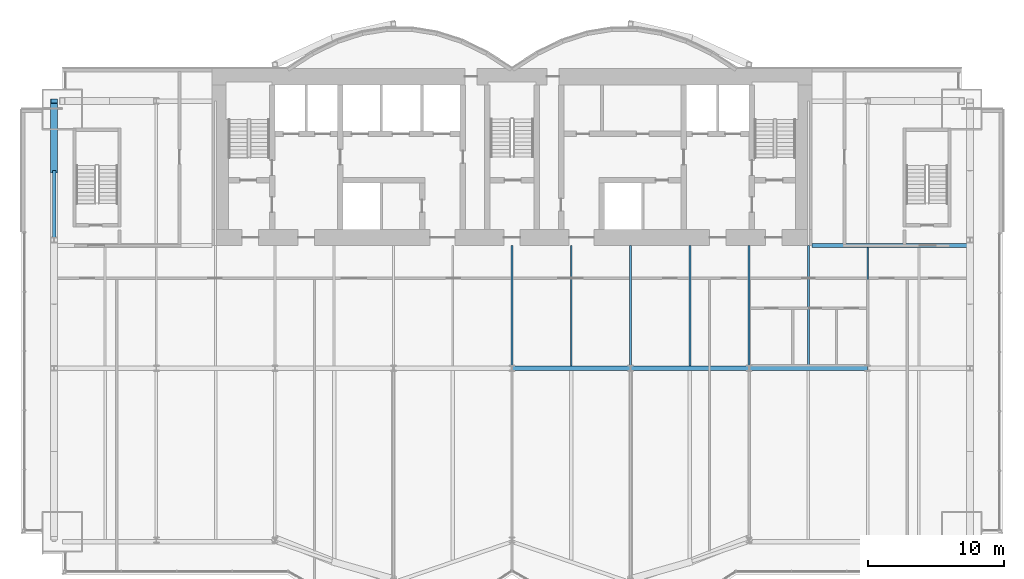
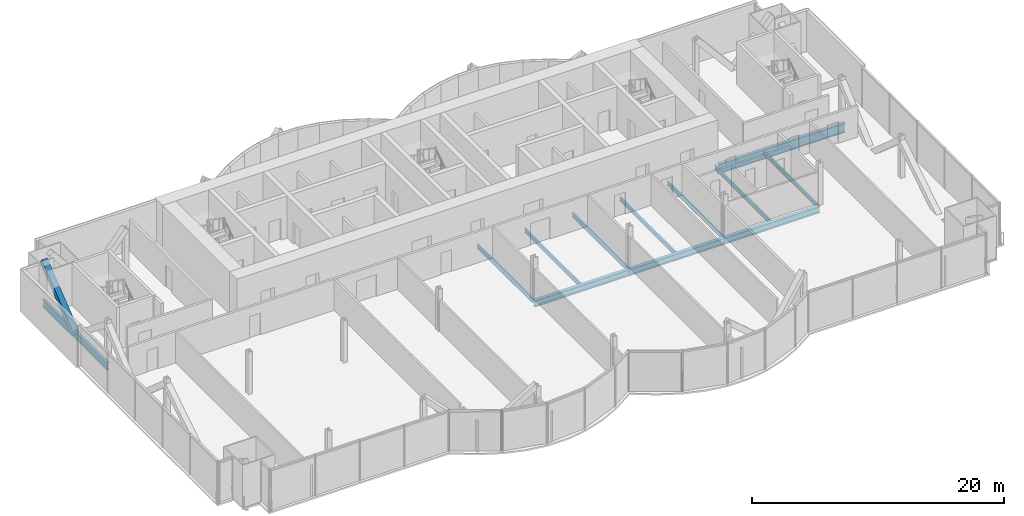
# One storey, part 9 of 21: 12 beams, 1 member.
"""IFC4 building model written with IfcOpenShell, lengths in metres."""

from ifc_helpers import new_model, si_unit, direction, frame, origin, origin_2d, place, context, subcontext, project, spatial, hollow_rectangle, i_section, extrude, material, material_profile, profile_set, type_object, element, save


model = new_model("IFC4")

# Units and contexts
model_context = context("Model", 3, precision=1e-05, world=origin(), true_north=direction((0.0, 1.0)))
body_context = subcontext(model_context, "Body", "Model", "MODEL_VIEW")
ifc_project = project(units=[si_unit("LENGTHUNIT", "METRE"), si_unit("AREAUNIT", "SQUARE_METRE"), si_unit("VOLUMEUNIT", "CUBIC_METRE"), si_unit("PLANEANGLEUNIT", "RADIAN"), si_unit("MASSUNIT", "GRAM", prefix="KILO")], contexts=[model_context])

# Site, building, storey
site_placement = place(None, origin())
site = spatial("IfcSite", under=ifc_project, at=site_placement, CompositionType="ELEMENT")
building_placement = place(site_placement, origin())
building = spatial("IfcBuilding", under=site, at=building_placement, Name="Bicima Exchange Tower", CompositionType="ELEMENT")
storey_placement = place(building_placement, frame((0.0, 0.0, 122.699951171875)))
storey = spatial("IfcBuildingStorey", under=building, at=storey_placement, Name="L26", CompositionType="ELEMENT", Elevation=122.699951171875)

# Beams
ifc_material_1 = material(Name="Steel ASTM A992 Gr 50", Category="steel")
ifc_material_profile_1 = material_profile(ifc_material_1, i_section(OverallWidth=0.3046875, OverallDepth=0.911865234375, WebThickness=0.015869140625, FlangeThickness=0.02392578125, at=origin_2d()))
ifc_profile_set_1 = profile_set([ifc_material_profile_1], Name="Steel ASTM A992 Gr 50")
beam_type_1 = type_object("IfcBeamType", Name="Core-line girder W36x150", PredefinedType="BEAM", material=ifc_profile_set_1)
beam_1_placement = place(storey_placement, frame((22.0, -13.0, -0.60595703125), z_axis=(1.0, 0.0, 0.0), x_axis=(0.0, 1.0, 0.0)))
element("IfcBeam", 1, at=beam_1_placement, inside=storey, type_object=beam_type_1, Name="Core-line girder", PredefinedType="BEAM", context=body_context, shape_type="SweptSolid", body=[
    extrude(i_section(OverallWidth=0.3046875, OverallDepth=0.911865234375, WebThickness=0.015869140625, FlangeThickness=0.02392578125, at=origin_2d()), origin(), (0.0, 0.0, 1.0), 11.60009765625),
])
ifc_material_profile_2 = material_profile(ifc_material_1, i_section(OverallWidth=0.256591796875, OverallDepth=0.693359375, WebThickness=0.014404296875, FlangeThickness=0.023681640625, at=origin_2d()))
ifc_profile_set_2 = profile_set([ifc_material_profile_2], Name="Steel ASTM A992 Gr 50")
beam_type_2 = type_object("IfcBeamType", Name="End girder W27x114", PredefinedType="BEAM", material=ifc_profile_set_2)
beam_2_placement = place(storey_placement, frame((-33.60009765625, -2.39990234375, -0.49658203125), z_axis=(0.0, -1.0, 0.0), x_axis=(1.0, 0.0, 0.0)))
element("IfcBeam", 2, at=beam_2_placement, inside=storey, type_object=beam_type_2, Name="End girder", PredefinedType="BEAM", context=body_context, shape_type="SweptSolid", body=[
    extrude(i_section(OverallWidth=0.256591796875, OverallDepth=0.693359375, WebThickness=0.014404296875, FlangeThickness=0.023681640625, at=origin_2d()), origin(), (0.0, 0.0, 1.0), 10.2001953125),
])
ifc_material_profile_3 = material_profile(ifc_material_1, i_section(OverallWidth=0.140380859375, OverallDepth=0.40380859375, WebThickness=0.007080078125, FlangeThickness=0.01123046875, at=origin_2d()))
ifc_profile_set_3 = profile_set([ifc_material_profile_3], Name="Steel ASTM A992 Gr 50")
beam_type_3 = type_object("IfcBeamType", Name="Floor beam W16x31", PredefinedType="JOIST", material=ifc_profile_set_3)
for number, where, z_axis, x_axis, name in (
    (3, (0.0, -13.0, -0.351806640625), (0.0, -1.0, 0.0), (1.0, 0.0, 0.0), "Floor beam"),
    (4, (4.35009765625, -13.0, -0.351806640625), (0.0, -1.0, 0.0), (1.0, 0.0, 0.0), "Floor beam"),
    (5, (8.699951171875, -13.0, -0.351806640625), (0.0, -1.0, 0.0), (1.0, 0.0, 0.0), "Floor beam"),
    (6, (13.050048828125, -13.0, -0.351806640625), (0.0, -1.0, 0.0), (1.0, 0.0, 0.0), "Floor beam"),
    (7, (17.39990234375, -13.0, -0.351806640625), (0.0, -1.0, 0.0), (1.0, 0.0, 0.0), "Floor beam"),
    (8, (21.75, -13.0, -0.351806640625), (0.0, -1.0, 0.0), (1.0, 0.0, 0.0), "Floor beam"),
):
    element("IfcBeam", number, at=place(storey_placement, frame(where, z_axis=z_axis, x_axis=x_axis)), inside=storey, type_object=beam_type_3, Name=name, PredefinedType="JOIST", context=body_context, shape_type="SweptSolid", body=[
        extrude(i_section(OverallWidth=0.140380859375, OverallDepth=0.40380859375, WebThickness=0.007080078125, FlangeThickness=0.01123046875, at=origin_2d()), origin(), (0.0, 0.0, 1.0), 8.83740234375),
    ])
beam_3_placement = place(storey_placement, frame((26.10009765625, -13.15234375, -0.351806640625), z_axis=(0.0, -1.0, 0.0), x_axis=(1.0, 0.0, 0.0)))
element("IfcBeam", 9, at=beam_3_placement, inside=storey, type_object=beam_type_3, Name="Floor beam", PredefinedType="JOIST", context=body_context, shape_type="SweptSolid", body=[
    extrude(i_section(OverallWidth=0.140380859375, OverallDepth=0.40380859375, WebThickness=0.007080078125, FlangeThickness=0.01123046875, at=origin_2d()), origin(), (0.0, 0.0, 1.0), 8.68505859375),
])

# Member
ifc_material_2 = material(Name="Steel ASTM A572 Gr 50", Category="steel")
ifc_material_profile_4 = material_profile(ifc_material_2, hollow_rectangle(XDim=0.508056640625, YDim=0.508056640625, WallThickness=0.0146484375, at=origin_2d()))
ifc_profile_set_4 = profile_set([ifc_material_profile_4], Name="Steel ASTM A572 Gr 50")
member_type = type_object("IfcMemberType", Name="Mega brace HSS20x20x5/8", PredefinedType="BRACE", material=ifc_profile_set_4)
member_placement = place(storey_placement, frame((-33.60009765625, -7.5, -0.49658203125), z_axis=(0.0, 0.779392460608, 0.626536026376), x_axis=(-1.0, 0.0, 0.0)))
element("IfcMember", 10, at=member_placement, inside=storey, type_object=member_type, Name="Mega brace west end", PredefinedType="BRACE", context=body_context, shape_type="SweptSolid", body=[
    extrude(hollow_rectangle(XDim=0.508056640625, YDim=0.508056640625, WallThickness=0.0146484375, at=origin_2d()), origin(), (0.0, 0.0, 1.0), 6.543701171875),
])

# Beams
ifc_material_profile_5 = material_profile(ifc_material_1, i_section(OverallWidth=0.3251953125, OverallDepth=0.612060546875, WebThickness=0.0126953125, FlangeThickness=0.01904296875, at=origin_2d()))
ifc_profile_set_5 = profile_set([ifc_material_profile_5], Name="Steel ASTM A992 Gr 50")
beam_type_4 = type_object("IfcBeamType", Name="Row girder W24x104", PredefinedType="BEAM", material=ifc_profile_set_5)
for number, where, z_axis, x_axis, name in (
    (11, (0.0, -22.0, -0.4560546875), (1.0, 0.0, 0.0), (0.0, 1.0, 0.0), "Row girder"),
    (12, (8.699951171875, -22.0, -0.4560546875), (1.0, 0.0, 0.0), (0.0, 1.0, 0.0), "Row girder"),
):
    element("IfcBeam", number, at=place(storey_placement, frame(where, z_axis=z_axis, x_axis=x_axis)), inside=storey, type_object=beam_type_4, Name=name, PredefinedType="BEAM", context=body_context, shape_type="SweptSolid", body=[
        extrude(i_section(OverallWidth=0.3251953125, OverallDepth=0.612060546875, WebThickness=0.0126953125, FlangeThickness=0.01904296875, at=origin_2d()), origin(), (0.0, 0.0, 1.0), 8.699951171875),
    ])
beam_4_placement = place(storey_placement, frame((17.39990234375, -22.0, -0.4560546875), z_axis=(1.0, 0.0, 0.0), x_axis=(0.0, 1.0, 0.0)))
element("IfcBeam", 13, at=beam_4_placement, inside=storey, type_object=beam_type_4, Name="Row girder", PredefinedType="BEAM", context=body_context, shape_type="SweptSolid", body=[
    extrude(i_section(OverallWidth=0.3251953125, OverallDepth=0.612060546875, WebThickness=0.0126953125, FlangeThickness=0.01904296875, at=origin_2d()), origin(), (0.0, 0.0, 1.0), 8.7001953125),
])

save(model, "model.ifc")
